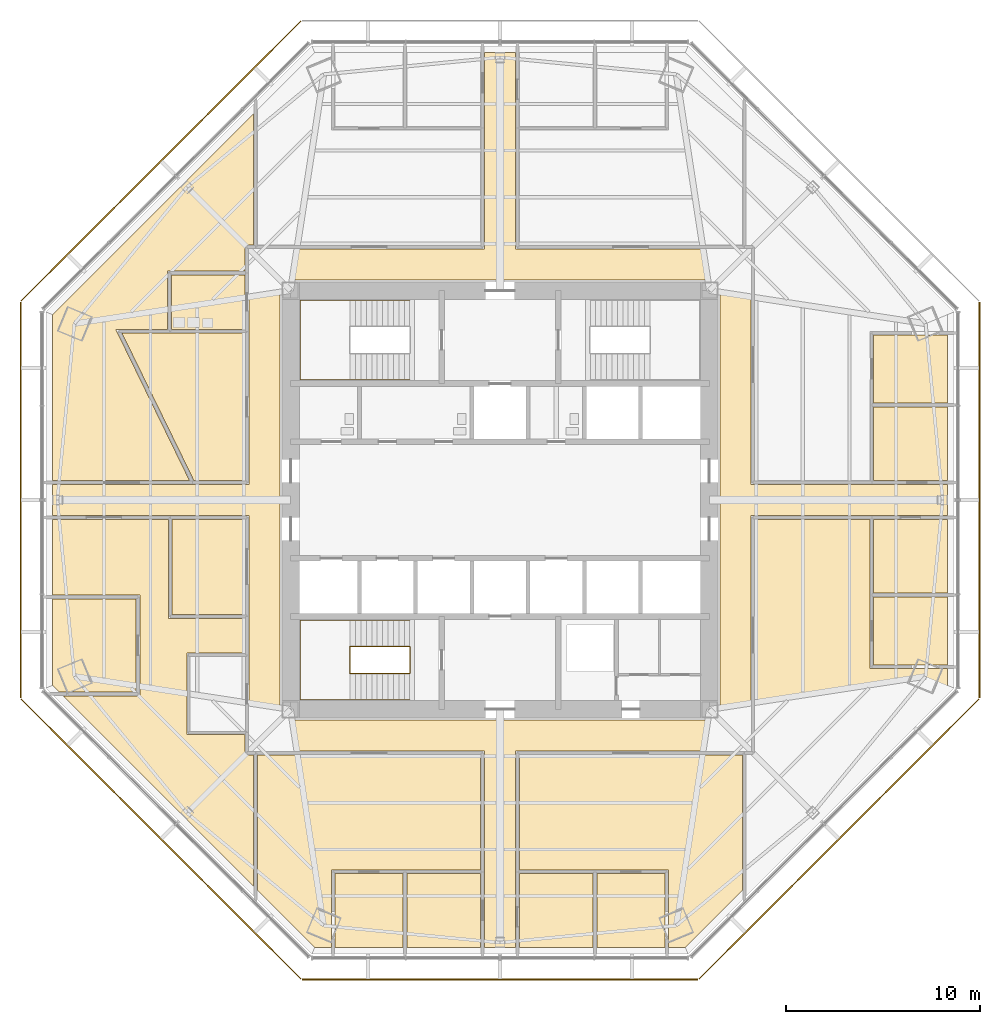
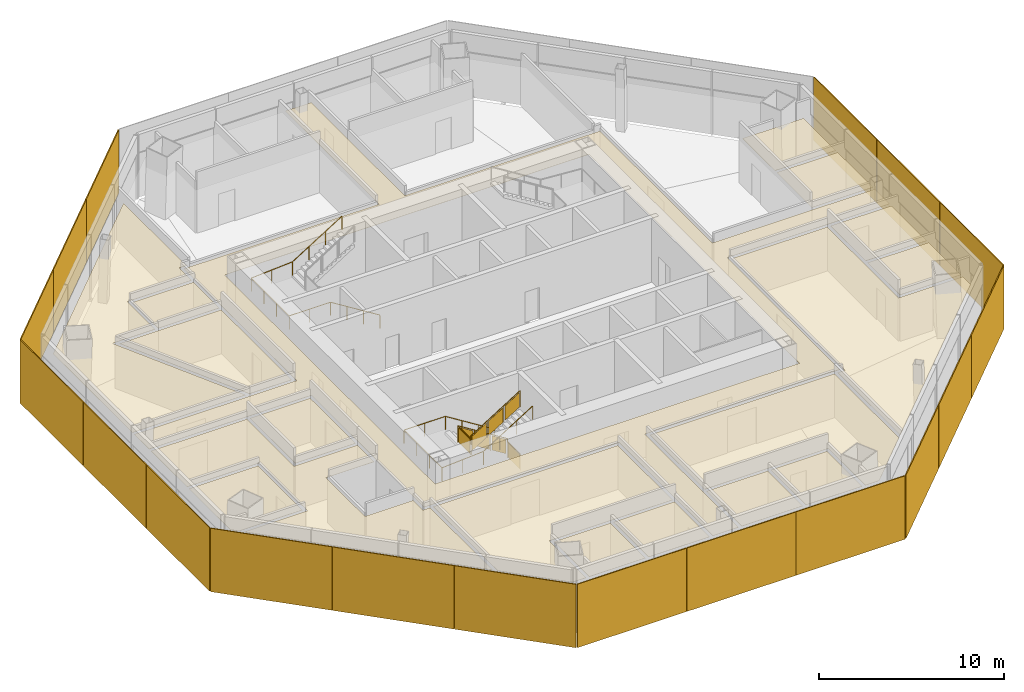
# One storey, part 13 of 15: 18 coverings, 18 shading devices, 3 railings.
"""IFC4 building model written with IfcOpenShell, lengths in metres."""

from ifc_helpers import new_model, si_unit, direction, frame, origin, origin_2d, place, context, subcontext, project, spatial, polyline, rectangle, circle, outline, extrude, source, transform, mapped, material, layer, layer_set, type_object, type_shapes, element, save


model = new_model("IFC4")

# Units and contexts
model_context = context("Model", 3, precision=1e-05, world=origin(), true_north=direction((0.0, 1.0)))
body_context = subcontext(model_context, "Body", "Model", "MODEL_VIEW")
ifc_project = project(units=[si_unit("LENGTHUNIT", "METRE"), si_unit("AREAUNIT", "SQUARE_METRE"), si_unit("VOLUMEUNIT", "CUBIC_METRE"), si_unit("PLANEANGLEUNIT", "RADIAN"), si_unit("MASSUNIT", "GRAM", prefix="KILO")], contexts=[model_context])

# Site, building, storey
site_placement = place(None, origin())
site = spatial("IfcSite", under=ifc_project, at=site_placement, CompositionType="ELEMENT")
building_placement = place(site_placement, origin())
building = spatial("IfcBuilding", under=site, at=building_placement, Name="Mashrafa Tower", CompositionType="ELEMENT")
storey_placement = place(building_placement, frame((0.0, 0.0, 155.39990234375)))
storey = spatial("IfcBuildingStorey", under=building, at=storey_placement, Name="L35", CompositionType="ELEMENT", Elevation=155.39990234375)

# Railings
ifc_material_1 = material(Name="Steel guard with glass infill", Category="steel")
railing_type_1 = type_object("IfcRailingType", Name="Stair guard 1100", PredefinedType="GUARDRAIL", material=ifc_material_1)
railing_1_placement = place(storey_placement, frame((-4.64990234375, -8.949951171875, 0.0)))
element("IfcRailing", 1, at=railing_1_placement, inside=storey, type_object=railing_type_1, Name="Stair S3 guard L35", PredefinedType="GUARDRAIL", context=body_context, shape_type="SweptSolid", body=[
    extrude(circle(Radius=0.02392578125, at=origin_2d()), frame((0.0, 0.0, 1.076171875), z_axis=(0.0, 1.0, 0.0), x_axis=(-1.0, 0.0, 0.0)), (0.0, 0.0, 1.0), 1.39990234375),
    extrude(circle(Radius=0.02392578125, at=origin_2d()), frame((0.0, 1.39990234375, 1.076171875), z_axis=(0.0, 0.0, 1.0), x_axis=(1.0, 0.0, 0.0)), (0.0, 0.0, 1.0), 0.175048828125),
    extrude(circle(Radius=0.02392578125, at=origin_2d()), frame((0.0, 1.39990234375, 1.2509765625), z_axis=(-0.847998304005, 0.0, 0.529998940003), x_axis=(0.0, -1.0, 0.0)), (0.0, 0.0, 1.0), 3.632080078125),
    extrude(circle(Radius=0.02392578125, at=origin_2d()), frame((-3.080078125, 1.39990234375, 3.17626953125), z_axis=(0.0, -1.0, 0.0), x_axis=(1.0, 0.0, 0.0)), (0.0, 0.0, 1.0), 1.39990234375),
    extrude(circle(Radius=0.02392578125, at=origin_2d()), frame((-3.080078125, 0.0, 3.17626953125), z_axis=(0.0, 0.0, 1.0), x_axis=(1.0, 0.0, 0.0)), (0.0, 0.0, 1.0), 0.175048828125),
    extrude(circle(Radius=0.02392578125, at=origin_2d()), frame((-3.080078125, 0.0, 3.35107421875), z_axis=(0.847998304005, 0.0, 0.529998940003), x_axis=(0.0, 1.0, 0.0)), (0.0, 0.0, 1.0), 3.632080078125),
    extrude(circle(Radius=0.02099609375, at=origin_2d()), origin(), (0.0, 0.0, 1.0), 1.052001953125),
    extrude(circle(Radius=0.02099609375, at=origin_2d()), frame((0.0, 1.39990234375, 0.0)), (0.0, 0.0, 1.0), 1.052001953125),
    extrude(circle(Radius=0.02099609375, at=origin_2d()), frame((0.0, 1.39990234375, 0.175048828125)), (0.0, 0.0, 1.0), 1.052001953125),
    extrude(circle(Radius=0.02099609375, at=origin_2d()), frame((-1.026611328125, 1.39990234375, 0.816650390625)), (0.0, 0.0, 1.0), 1.052001953125),
    extrude(circle(Radius=0.02099609375, at=origin_2d()), frame((-2.053466796875, 1.39990234375, 1.45849609375)), (0.0, 0.0, 1.0), 1.052001953125),
    extrude(circle(Radius=0.02099609375, at=origin_2d()), frame((-3.080078125, 1.39990234375, 2.10009765625)), (0.0, 0.0, 1.0), 1.052001953125),
    extrude(circle(Radius=0.02099609375, at=origin_2d()), frame((-3.080078125, 0.0, 2.10009765625)), (0.0, 0.0, 1.0), 1.052001953125),
    extrude(circle(Radius=0.02099609375, at=origin_2d()), frame((-3.080078125, 0.0, 2.275146484375)), (0.0, 0.0, 1.0), 1.052001953125),
    extrude(circle(Radius=0.02099609375, at=origin_2d()), frame((-2.053466796875, 0.0, 2.916748046875)), (0.0, 0.0, 1.0), 1.052001953125),
    extrude(circle(Radius=0.02099609375, at=origin_2d()), frame((-1.026611328125, 0.0, 3.55859375)), (0.0, 0.0, 1.0), 1.052001953125),
    extrude(circle(Radius=0.02099609375, at=origin_2d()), frame((0.0, 0.0, 4.2001953125)), (0.0, 0.0, 1.0), 1.052001953125),
    extrude(outline(polyline([(0.071044921875, 0.050048828125), (1.328857421875, 0.050048828125), (1.328857421875, 1.001953125), (0.071044921875, 1.001953125), (0.071044921875, 0.050048828125)])), frame((0.006103515625, 0.0, 0.0), z_axis=(1.0, 0.0, 0.0), x_axis=(0.0, 1.0, 0.0)), (0.0, 0.0, 1.0), 0.011962890625),
    extrude(outline(polyline([(0.071044921875, 0.094482421875), (0.955810546875, 0.647216796875), (0.955810546875, 1.599365234375), (0.071044921875, 1.04638671875), (0.071044921875, 0.094482421875)])), frame((0.0, 1.406005859375, 0.175048828125), z_axis=(0.0, 1.0, 0.0), x_axis=(-1.0, 0.0, 0.0)), (0.0, 0.0, 1.0), 0.011962890625),
    extrude(outline(polyline([(1.09765625, 0.736083984375), (1.982421875, 1.2890625), (1.982421875, 2.240966796875), (1.09765625, 1.68798828125), (1.09765625, 0.736083984375)])), frame((0.0, 1.406005859375, 0.175048828125), z_axis=(0.0, 1.0, 0.0), x_axis=(-1.0, 0.0, 0.0)), (0.0, 0.0, 1.0), 0.011962890625),
    extrude(outline(polyline([(2.124267578125, 1.377685546875), (3.009033203125, 1.9306640625), (3.009033203125, 2.882568359375), (2.124267578125, 2.329833984375), (2.124267578125, 1.377685546875)])), frame((0.0, 1.406005859375, 0.175048828125), z_axis=(0.0, 1.0, 0.0), x_axis=(-1.0, 0.0, 0.0)), (0.0, 0.0, 1.0), 0.011962890625),
    extrude(outline(polyline([(0.071044921875, 0.050048828125), (1.328857421875, 0.050048828125), (1.328857421875, 1.001953125), (0.071044921875, 1.001953125), (0.071044921875, 0.050048828125)])), frame((-3.086181640625, 1.39990234375, 2.10009765625), z_axis=(-1.0, 0.0, 0.0), x_axis=(0.0, -1.0, 0.0)), (0.0, 0.0, 1.0), 0.011962890625),
    extrude(outline(polyline([(0.071044921875, 0.094482421875), (0.955810546875, 0.647216796875), (0.955810546875, 1.599365234375), (0.071044921875, 1.04638671875), (0.071044921875, 0.094482421875)])), frame((-3.080078125, -0.006103515625, 2.275146484375), z_axis=(0.0, -1.0, 0.0), x_axis=(1.0, 0.0, 0.0)), (0.0, 0.0, 1.0), 0.011962890625),
    extrude(outline(polyline([(1.09765625, 0.736083984375), (1.982421875, 1.2890625), (1.982421875, 2.240966796875), (1.09765625, 1.68798828125), (1.09765625, 0.736083984375)])), frame((-3.080078125, -0.006103515625, 2.275146484375), z_axis=(0.0, -1.0, 0.0), x_axis=(1.0, 0.0, 0.0)), (0.0, 0.0, 1.0), 0.011962890625),
    extrude(outline(polyline([(2.124267578125, 1.377685546875), (3.009033203125, 1.9306640625), (3.009033203125, 2.882568359375), (2.124267578125, 2.329833984375), (2.124267578125, 1.377685546875)])), frame((-3.080078125, -0.006103515625, 2.275146484375), z_axis=(0.0, -1.0, 0.0), x_axis=(1.0, 0.0, 0.0)), (0.0, 0.0, 1.0), 0.011962890625),
])
ifc_material_2 = material(Name="Steel", Category="steel")
railing_type_2 = type_object("IfcRailingType", Name="Stair handrail 900", PredefinedType="HANDRAIL", material=ifc_material_2)
railing_2_placement = place(storey_placement, frame((-4.64990234375, 6.199951171875, 0.175048828125)))
element("IfcRailing", 2, at=railing_2_placement, inside=storey, type_object=railing_type_2, Name="Stair S1 handrail L35", PredefinedType="HANDRAIL", context=body_context, shape_type="SweptSolid", body=[
    extrude(circle(Radius=0.02392578125, at=origin_2d()), frame((0.0, 0.0, 0.8759765625), z_axis=(-0.847998304005, 0.0, 0.529998940003), x_axis=(0.0, -1.0, 0.0)), (0.0, 0.0, 1.0), 3.632080078125),
    extrude(circle(Radius=0.02392578125, at=origin_2d()), frame((-3.080078125, 0.0, 2.80078125), z_axis=(-1.0, 0.0, 0.0), x_axis=(0.0, -1.0, 0.0)), (0.0, 0.0, 1.0), 2.570068359375),
    extrude(circle(Radius=0.02392578125, at=origin_2d()), frame((-5.650146484375, 0.0, 2.80078125), z_axis=(0.0, 1.0, 0.0), x_axis=(-1.0, 0.0, 0.0)), (0.0, 0.0, 1.0), 4.10009765625),
    extrude(circle(Radius=0.02392578125, at=origin_2d()), frame((-5.650146484375, 4.10009765625, 2.80078125), z_axis=(0.997688514158, 0.0, 0.067953136188), x_axis=(0.0, 1.0, 0.0)), (0.0, 0.0, 1.0), 2.575927734375),
    extrude(circle(Radius=0.02392578125, at=origin_2d()), frame((-3.080078125, 4.10009765625, 2.97607421875), z_axis=(0.847998304005, 0.0, 0.529998940003), x_axis=(0.0, 1.0, 0.0)), (0.0, 0.0, 1.0), 3.632080078125),
    extrude(circle(Radius=0.02099609375, at=origin_2d()), origin(), (0.0, 0.0, 1.0), 0.851806640625),
    extrude(circle(Radius=0.02099609375, at=origin_2d()), frame((-1.026611328125, 0.0, 0.6416015625)), (0.0, 0.0, 1.0), 0.851806640625),
    extrude(circle(Radius=0.02099609375, at=origin_2d()), frame((-2.053466796875, 0.0, 1.283447265625)), (0.0, 0.0, 1.0), 0.851806640625),
    extrude(circle(Radius=0.02099609375, at=origin_2d()), frame((-3.080078125, 0.0, 1.925048828125)), (0.0, 0.0, 1.0), 0.851806640625),
    extrude(circle(Radius=0.02099609375, at=origin_2d()), frame((-4.365234375, 0.0, 1.925048828125)), (0.0, 0.0, 1.0), 0.851806640625),
    extrude(circle(Radius=0.02099609375, at=origin_2d()), frame((-5.650146484375, 0.0, 1.925048828125)), (0.0, 0.0, 1.0), 0.851806640625),
    extrude(circle(Radius=0.02099609375, at=origin_2d()), frame((-5.650146484375, 1.36669921875, 1.925048828125)), (0.0, 0.0, 1.0), 0.851806640625),
    extrude(circle(Radius=0.02099609375, at=origin_2d()), frame((-5.650146484375, 2.7333984375, 1.925048828125)), (0.0, 0.0, 1.0), 0.851806640625),
    extrude(circle(Radius=0.02099609375, at=origin_2d()), frame((-5.650146484375, 4.10009765625, 1.925048828125)), (0.0, 0.0, 1.0), 0.851806640625),
    extrude(circle(Radius=0.02099609375, at=origin_2d()), frame((-4.365234375, 4.10009765625, 2.0126953125)), (0.0, 0.0, 1.0), 0.851806640625),
    extrude(circle(Radius=0.02099609375, at=origin_2d()), frame((-3.080078125, 4.10009765625, 2.10009765625)), (0.0, 0.0, 1.0), 0.851806640625),
    extrude(circle(Radius=0.02099609375, at=origin_2d()), frame((-2.053466796875, 4.10009765625, 2.74169921875)), (0.0, 0.0, 1.0), 0.851806640625),
    extrude(circle(Radius=0.02099609375, at=origin_2d()), frame((-1.026611328125, 4.10009765625, 3.383544921875)), (0.0, 0.0, 1.0), 0.851806640625),
    extrude(circle(Radius=0.02099609375, at=origin_2d()), frame((0.0, 4.10009765625, 4.025146484375)), (0.0, 0.0, 1.0), 0.851806640625),
])
railing_3_placement = place(storey_placement, frame((-4.64990234375, -6.199951171875, 0.175048828125)))
element("IfcRailing", 3, at=railing_3_placement, inside=storey, type_object=railing_type_2, Name="Stair S3 handrail L35", PredefinedType="HANDRAIL", context=body_context, shape_type="SweptSolid", body=[
    extrude(circle(Radius=0.02392578125, at=origin_2d()), frame((0.0, 0.0, 0.8759765625), z_axis=(-0.847998304005, 0.0, 0.529998940003), x_axis=(0.0, -1.0, 0.0)), (0.0, 0.0, 1.0), 3.632080078125),
    extrude(circle(Radius=0.02392578125, at=origin_2d()), frame((-3.080078125, 0.0, 2.80078125), z_axis=(-1.0, 0.0, 0.0), x_axis=(0.0, -1.0, 0.0)), (0.0, 0.0, 1.0), 2.570068359375),
    extrude(circle(Radius=0.02392578125, at=origin_2d()), frame((-5.650146484375, 0.0, 2.80078125), z_axis=(0.0, -1.0, 0.0), x_axis=(1.0, 0.0, 0.0)), (0.0, 0.0, 1.0), 4.10009765625),
    extrude(circle(Radius=0.02392578125, at=origin_2d()), frame((-5.650146484375, -4.10009765625, 2.80078125), z_axis=(0.997688514158, 0.0, 0.067953136188), x_axis=(0.0, 1.0, 0.0)), (0.0, 0.0, 1.0), 2.575927734375),
    extrude(circle(Radius=0.02392578125, at=origin_2d()), frame((-3.080078125, -4.10009765625, 2.97607421875), z_axis=(0.847998304005, 0.0, 0.529998940003), x_axis=(0.0, 1.0, 0.0)), (0.0, 0.0, 1.0), 3.632080078125),
    extrude(circle(Radius=0.02099609375, at=origin_2d()), origin(), (0.0, 0.0, 1.0), 0.851806640625),
    extrude(circle(Radius=0.02099609375, at=origin_2d()), frame((-1.026611328125, 0.0, 0.6416015625)), (0.0, 0.0, 1.0), 0.851806640625),
    extrude(circle(Radius=0.02099609375, at=origin_2d()), frame((-2.053466796875, 0.0, 1.283447265625)), (0.0, 0.0, 1.0), 0.851806640625),
    extrude(circle(Radius=0.02099609375, at=origin_2d()), frame((-3.080078125, 0.0, 1.925048828125)), (0.0, 0.0, 1.0), 0.851806640625),
    extrude(circle(Radius=0.02099609375, at=origin_2d()), frame((-4.365234375, 0.0, 1.925048828125)), (0.0, 0.0, 1.0), 0.851806640625),
    extrude(circle(Radius=0.02099609375, at=origin_2d()), frame((-5.650146484375, 0.0, 1.925048828125)), (0.0, 0.0, 1.0), 0.851806640625),
    extrude(circle(Radius=0.02099609375, at=origin_2d()), frame((-5.650146484375, -1.36669921875, 1.925048828125)), (0.0, 0.0, 1.0), 0.851806640625),
    extrude(circle(Radius=0.02099609375, at=origin_2d()), frame((-5.650146484375, -2.7333984375, 1.925048828125)), (0.0, 0.0, 1.0), 0.851806640625),
    extrude(circle(Radius=0.02099609375, at=origin_2d()), frame((-5.650146484375, -4.10009765625, 1.925048828125)), (0.0, 0.0, 1.0), 0.851806640625),
    extrude(circle(Radius=0.02099609375, at=origin_2d()), frame((-4.365234375, -4.10009765625, 2.0126953125)), (0.0, 0.0, 1.0), 0.851806640625),
    extrude(circle(Radius=0.02099609375, at=origin_2d()), frame((-3.080078125, -4.10009765625, 2.10009765625)), (0.0, 0.0, 1.0), 0.851806640625),
    extrude(circle(Radius=0.02099609375, at=origin_2d()), frame((-2.053466796875, -4.10009765625, 2.74169921875)), (0.0, 0.0, 1.0), 0.851806640625),
    extrude(circle(Radius=0.02099609375, at=origin_2d()), frame((-1.026611328125, -4.10009765625, 3.383544921875)), (0.0, 0.0, 1.0), 0.851806640625),
    extrude(circle(Radius=0.02099609375, at=origin_2d()), frame((0.0, -4.10009765625, 4.025146484375)), (0.0, 0.0, 1.0), 0.851806640625),
])

# Coverings
ifc_material_3 = material(Name="Mineral fibre tile on suspension grid")
ifc_layer_1 = layer(ifc_material_3, 0.014892578125)
ifc_layer_set_1 = layer_set([ifc_layer_1], Name="Suspended ceiling mineral tile 15")
covering_type = type_object("IfcCoveringType", Name="Suspended ceiling mineral tile 15", PredefinedType="CEILING", material=ifc_layer_set_1)
covering_1_placement = place(storey_placement, frame((0.0, 0.0, 2.900146484375)))
element("IfcCovering", 4, at=covering_1_placement, inside=storey, type_object=covering_type, Name="Ceiling Office Corridor L35", PredefinedType="CEILING", context=body_context, shape_type="SweptSolid", body=[
    extrude(outline(polyline([(-12.949951171875, -12.949951171875), (-12.949951171875, -0.800048828125), (-23.068603515625, -0.800048828125), (-23.068603515625, 0.800048828125), (-12.949951171875, 0.800048828125), (-12.949951171875, 12.949951171875), (-0.800048828125, 12.949951171875), (-0.800048828125, 23.068603515625), (0.800048828125, 23.068603515625), (0.800048828125, 12.949951171875), (12.949951171875, 12.949951171875), (12.949951171875, 0.800048828125), (23.068603515625, 0.800048828125), (23.068603515625, -0.800048828125), (12.949951171875, -0.800048828125), (12.949951171875, -12.949951171875), (0.800048828125, -12.949951171875), (0.800048828125, -23.068603515625), (-0.800048828125, -23.068603515625), (-0.800048828125, -12.949951171875), (-12.949951171875, -12.949951171875)]), holes=[polyline([(11.35009765625, 11.35009765625), (-11.35009765625, 11.35009765625), (-11.35009765625, -11.35009765625), (11.35009765625, -11.35009765625), (11.35009765625, 11.35009765625)])]), origin(), (0.0, 0.0, 1.0), 0.014892578125),
])
covering_2_placement = place(storey_placement, frame((0.0, 0.0, 2.900146484375)))
element("IfcCovering", 5, at=covering_2_placement, inside=storey, type_object=covering_type, Name="Ceiling Musallah Prayer Room 35", PredefinedType="CEILING", context=body_context, shape_type="SweptSolid", body=[
    extrude(outline(polyline([(-15.783203125, 1.0), (-19.489990234375, 8.60009765625), (-13.14990234375, 8.60009765625), (-13.14990234375, 1.0), (-15.783203125, 1.0)])), origin(), (0.0, 0.0, 1.0), 0.014892578125),
])
covering_3_placement = place(storey_placement, frame((0.0, 0.0, 2.900146484375)))
element("IfcCovering", 6, at=covering_3_placement, inside=storey, type_object=covering_type, Name="Ceiling Ablution Room L35", PredefinedType="CEILING", context=body_context, shape_type="SweptSolid", body=[
    extrude(outline(polyline([(-16.949951171875, 8.800048828125), (-16.949951171875, 11.60009765625), (-13.14990234375, 11.60009765625), (-13.14990234375, 8.800048828125), (-16.949951171875, 8.800048828125)])), origin(), (0.0, 0.0, 1.0), 0.014892578125),
])
covering_4_placement = place(storey_placement, frame((0.0, 0.0, 2.900146484375)))
element("IfcCovering", 7, at=covering_4_placement, inside=storey, type_object=covering_type, Name="Ceiling Serviced Office 35-EA-1", PredefinedType="CEILING", context=body_context, shape_type="SweptSolid", body=[
    extrude(outline(polyline([(19.268798828125, 4.800048828125), (23.068603515625, 4.800048828125), (23.068603515625, 1.0), (19.268798828125, 1.0), (19.268798828125, 4.800048828125)])), origin(), (0.0, 0.0, 1.0), 0.014892578125),
])
covering_5_placement = place(storey_placement, frame((0.0, 0.0, 2.900146484375)))
element("IfcCovering", 8, at=covering_5_placement, inside=storey, type_object=covering_type, Name="Ceiling Serviced Office 35-NE1", PredefinedType="CEILING", context=body_context, shape_type="SweptSolid", body=[
    extrude(outline(polyline([(19.268798828125, 8.5), (23.068603515625, 8.5), (23.068603515625, 5.0), (19.268798828125, 5.0), (19.268798828125, 8.5)])), origin(), (0.0, 0.0, 1.0), 0.014892578125),
])
covering_6_placement = place(storey_placement, frame((0.0, 0.0, 2.900146484375)))
element("IfcCovering", 9, at=covering_6_placement, inside=storey, type_object=covering_type, Name="Ceiling Serviced Office 35-SE1", PredefinedType="CEILING", context=body_context, shape_type="SweptSolid", body=[
    extrude(outline(polyline([(19.268798828125, -5.0), (23.068603515625, -5.0), (23.068603515625, -8.5), (19.268798828125, -8.5), (19.268798828125, -5.0)])), origin(), (0.0, 0.0, 1.0), 0.014892578125),
])
covering_7_placement = place(storey_placement, frame((0.0, 0.0, 2.900146484375)))
element("IfcCovering", 10, at=covering_7_placement, inside=storey, type_object=covering_type, Name="Ceiling Serviced Office 35-EB-2", PredefinedType="CEILING", context=body_context, shape_type="SweptSolid", body=[
    extrude(outline(polyline([(19.268798828125, -1.0), (23.068603515625, -1.0), (23.068603515625, -4.800048828125), (19.268798828125, -4.800048828125), (19.268798828125, -1.0)])), origin(), (0.0, 0.0, 1.0), 0.014892578125),
])
covering_8_placement = place(storey_placement, frame((0.0, 0.0, 2.900146484375)))
element("IfcCovering", 11, at=covering_8_placement, inside=storey, type_object=covering_type, Name="Ceiling Serviced Office 35-SA-1", PredefinedType="CEILING", context=body_context, shape_type="SweptSolid", body=[
    extrude(outline(polyline([(1.0, -19.268798828125), (4.800048828125, -19.268798828125), (4.800048828125, -23.068603515625), (1.0, -23.068603515625), (1.0, -19.268798828125)])), origin(), (0.0, 0.0, 1.0), 0.014892578125),
])
covering_9_placement = place(storey_placement, frame((0.0, 0.0, 2.900146484375)))
element("IfcCovering", 12, at=covering_9_placement, inside=storey, type_object=covering_type, Name="Ceiling Serviced Office 35-SE2", PredefinedType="CEILING", context=body_context, shape_type="SweptSolid", body=[
    extrude(outline(polyline([(5.0, -19.268798828125), (8.5, -19.268798828125), (8.5, -23.068603515625), (5.0, -23.068603515625), (5.0, -19.268798828125)])), origin(), (0.0, 0.0, 1.0), 0.014892578125),
])
covering_10_placement = place(storey_placement, frame((0.0, 0.0, 2.900146484375)))
element("IfcCovering", 13, at=covering_10_placement, inside=storey, type_object=covering_type, Name="Ceiling Serviced Office 35-SW2", PredefinedType="CEILING", context=body_context, shape_type="SweptSolid", body=[
    extrude(outline(polyline([(-8.5, -19.268798828125), (-5.0, -19.268798828125), (-5.0, -23.068603515625), (-8.5, -23.068603515625), (-8.5, -19.268798828125)])), origin(), (0.0, 0.0, 1.0), 0.014892578125),
])
covering_11_placement = place(storey_placement, frame((0.0, 0.0, 2.900146484375)))
element("IfcCovering", 14, at=covering_11_placement, inside=storey, type_object=covering_type, Name="Ceiling Serviced Office 35-SB-2", PredefinedType="CEILING", context=body_context, shape_type="SweptSolid", body=[
    extrude(outline(polyline([(-4.800048828125, -19.268798828125), (-1.0, -19.268798828125), (-1.0, -23.068603515625), (-4.800048828125, -23.068603515625), (-4.800048828125, -19.268798828125)])), origin(), (0.0, 0.0, 1.0), 0.014892578125),
])
covering_12_placement = place(storey_placement, frame((0.0, 0.0, 2.900146484375)))
element("IfcCovering", 15, at=covering_12_placement, inside=storey, type_object=covering_type, Name="Ceiling Meeting Room 35-SW1", PredefinedType="CEILING", context=body_context, shape_type="SweptSolid", body=[
    extrude(outline(polyline([(-18.768798828125, -5.10009765625), (-18.768798828125, -9.89990234375), (-22.72412109375, -9.89990234375), (-23.068603515625, -9.555419921875), (-23.068603515625, -5.10009765625), (-18.768798828125, -5.10009765625)])), origin(), (0.0, 0.0, 1.0), 0.014892578125),
])
covering_13_placement = place(storey_placement, frame((0.0, 0.0, 2.900146484375)))
element("IfcCovering", 16, at=covering_13_placement, inside=storey, type_object=covering_type, Name="Ceiling Business Centre Reception 35", PredefinedType="CEILING", context=body_context, shape_type="SweptSolid", body=[
    extrude(outline(polyline([(-16.89990234375, -1.0), (-13.14990234375, -1.0), (-13.14990234375, -5.89990234375), (-16.89990234375, -5.89990234375), (-16.89990234375, -1.0)])), origin(), (0.0, 0.0, 1.0), 0.014892578125),
])
covering_14_placement = place(storey_placement, frame((0.0, 0.0, 2.900146484375)))
element("IfcCovering", 17, at=covering_14_placement, inside=storey, type_object=covering_type, Name="Ceiling Business Centre Suite 35-NW1", PredefinedType="CEILING", context=body_context, shape_type="SweptSolid", body=[
    extrude(outline(polyline([(-23.068603515625, 1.0), (-23.068603515625, 9.555419921875), (-12.699951171875, 19.924072265625), (-12.699951171875, 13.14990234375), (-13.14990234375, 13.14990234375), (-13.14990234375, 11.800048828125), (-17.14990234375, 11.800048828125), (-17.14990234375, 8.800048828125), (-19.81005859375, 8.800048828125), (-16.005615234375, 1.0), (-23.068603515625, 1.0)])), origin(), (0.0, 0.0, 1.0), 0.014892578125),
])
covering_15_placement = place(storey_placement, frame((0.0, 0.0, 2.900146484375)))
element("IfcCovering", 18, at=covering_15_placement, inside=storey, type_object=covering_type, Name="Ceiling Business Centre Suite 35-SW1", PredefinedType="CEILING", context=body_context, shape_type="SweptSolid", body=[
    extrude(outline(polyline([(-12.699951171875, -19.924072265625), (-22.52392578125, -10.10009765625), (-18.568603515625, -10.10009765625), (-18.568603515625, -4.89990234375), (-23.068603515625, -4.89990234375), (-23.068603515625, -1.0), (-17.10009765625, -1.0), (-17.10009765625, -6.10009765625), (-13.14990234375, -6.10009765625), (-13.14990234375, -7.89990234375), (-16.14990234375, -7.89990234375), (-16.14990234375, -12.10009765625), (-13.14990234375, -12.10009765625), (-13.14990234375, -13.14990234375), (-12.699951171875, -13.14990234375), (-12.699951171875, -19.924072265625)])), origin(), (0.0, 0.0, 1.0), 0.014892578125),
])
covering_16_placement = place(storey_placement, frame((0.0, 0.0, 2.900146484375)))
element("IfcCovering", 19, at=covering_16_placement, inside=storey, type_object=covering_type, Name="Ceiling Business Centre Lounge 35-SW2", PredefinedType="CEILING", context=body_context, shape_type="SweptSolid", body=[
    extrude(outline(polyline([(-8.699951171875, -23.068603515625), (-9.555419921875, -23.068603515625), (-12.5, -20.1240234375), (-12.5, -13.14990234375), (-1.0, -13.14990234375), (-1.0, -19.068603515625), (-8.699951171875, -19.068603515625), (-8.699951171875, -23.068603515625)])), origin(), (0.0, 0.0, 1.0), 0.014892578125),
])
covering_17_placement = place(storey_placement, frame((0.0, 0.0, 2.900146484375)))
element("IfcCovering", 20, at=covering_17_placement, inside=storey, type_object=covering_type, Name="Ceiling Business Centre Suite 35-SE1", PredefinedType="CEILING", context=body_context, shape_type="SweptSolid", body=[
    extrude(outline(polyline([(23.068603515625, -8.699951171875), (23.068603515625, -9.555419921875), (12.699951171875, -19.924072265625), (12.699951171875, -13.14990234375), (13.14990234375, -13.14990234375), (13.14990234375, -1.0), (19.068603515625, -1.0), (19.068603515625, -8.699951171875), (23.068603515625, -8.699951171875)])), origin(), (0.0, 0.0, 1.0), 0.014892578125),
])
covering_18_placement = place(storey_placement, frame((0.0, 0.0, 2.900146484375)))
element("IfcCovering", 21, at=covering_18_placement, inside=storey, type_object=covering_type, Name="Ceiling Business Centre Lounge 35-SE2", PredefinedType="CEILING", context=body_context, shape_type="SweptSolid", body=[
    extrude(outline(polyline([(12.5, -13.14990234375), (12.5, -20.1240234375), (9.555419921875, -23.068603515625), (8.699951171875, -23.068603515625), (8.699951171875, -19.068603515625), (1.0, -19.068603515625), (1.0, -13.14990234375), (12.5, -13.14990234375)])), origin(), (0.0, 0.0, 1.0), 0.014892578125),
])

# Shading devices
ifc_material_4 = material(Name="Perforated aluminium plate, eight-point star pattern", Category="aluminium")
ifc_layer_2 = layer(ifc_material_4, 0.06005859375)
ifc_layer_set_2 = layer_set([ifc_layer_2], Name="Mashrabiya screen panel office zone 2, 40 percent open")
shading_device_type = type_object("IfcShadingDeviceType", Name="Mashrabiya screen panel office zone 2, 40 percent open", PredefinedType="SHUTTER", material=ifc_layer_set_2)
shared_shape = source(origin(), body_context, "Body", "SweptSolid", [
    extrude(rectangle(XDim=6.791015625, YDim=0.06005859375, at=origin_2d()), origin(), (0.0, 0.0, 1.0), 4.179931640625),
])
type_shapes(shading_device_type, [shared_shape])
for number, where, z_axis, x_axis, name in (
    (22, (24.71875, -6.81103515625, -0.14990234375), (0.0, 0.0, 1.0), (0.0, 1.0, 0.0), "Mashrabiya screen L35 east 1"),
    (23, (24.71875, 0.0, -0.14990234375), (0.0, 0.0, 1.0), (0.0, 1.0, 0.0), "Mashrabiya screen L35 east 2"),
    (24, (24.71875, 6.81103515625, -0.14990234375), (0.0, 0.0, 1.0), (0.0, 1.0, 0.0), "Mashrabiya screen L35 east 3"),
    (25, (-12.66259765625, 22.294677734375, -0.14990234375), (0.0, 0.0, 1.0), (-0.707106781187, -0.707106781187, 0.0), "Mashrabiya screen L35 north-west 1"),
    (26, (-17.478759765625, 17.478759765625, -0.14990234375), (0.0, 0.0, 1.0), (-0.707106781187, -0.707106781187, 0.0), "Mashrabiya screen L35 north-west 2"),
    (27, (-22.294677734375, 12.66259765625, -0.14990234375), (0.0, 0.0, 1.0), (-0.707106781187, -0.707106781187, 0.0), "Mashrabiya screen L35 north-west 3"),
    (28, (-24.71875, 6.81103515625, -0.14990234375), (0.0, 0.0, 1.0), (0.0, -1.0, 0.0), "Mashrabiya screen L35 west 1"),
    (29, (-24.71875, 0.0, -0.14990234375), (0.0, 0.0, 1.0), (0.0, -1.0, 0.0), "Mashrabiya screen L35 west 2"),
    (30, (-24.71875, -6.81103515625, -0.14990234375), (0.0, 0.0, 1.0), (0.0, -1.0, 0.0), "Mashrabiya screen L35 west 3"),
    (31, (-22.294677734375, -12.66259765625, -0.14990234375), (0.0, 0.0, 1.0), (0.707106781187, -0.707106781187, 0.0), "Mashrabiya screen L35 south-west 1"),
    (32, (-17.478759765625, -17.478759765625, -0.14990234375), (0.0, 0.0, 1.0), (0.707106781187, -0.707106781187, 0.0), "Mashrabiya screen L35 south-west 2"),
    (33, (-12.66259765625, -22.294677734375, -0.14990234375), (0.0, 0.0, 1.0), (0.707106781187, -0.707106781187, 0.0), "Mashrabiya screen L35 south-west 3"),
    (34, (-6.81103515625, -24.71875, -0.14990234375), (0.0, 0.0, 1.0), (1.0, 0.0, 0.0), "Mashrabiya screen L35 south 1"),
    (35, (0.0, -24.71875, -0.14990234375), (0.0, 0.0, 1.0), (1.0, 0.0, 0.0), "Mashrabiya screen L35 south 2"),
    (36, (6.81103515625, -24.71875, -0.14990234375), (0.0, 0.0, 1.0), (1.0, 0.0, 0.0), "Mashrabiya screen L35 south 3"),
    (37, (12.66259765625, -22.294677734375, -0.14990234375), (0.0, 0.0, 1.0), (0.707106781187, 0.707106781187, 0.0), "Mashrabiya screen L35 south-east 1"),
    (38, (17.478759765625, -17.478759765625, -0.14990234375), (0.0, 0.0, 1.0), (0.707106781187, 0.707106781187, 0.0), "Mashrabiya screen L35 south-east 2"),
    (39, (22.294677734375, -12.66259765625, -0.14990234375), (0.0, 0.0, 1.0), (0.707106781187, 0.707106781187, 0.0), "Mashrabiya screen L35 south-east 3"),
):
    element("IfcShadingDevice", number, at=place(storey_placement, frame(where, z_axis=z_axis, x_axis=x_axis)), inside=storey, type_object=shading_device_type, Name=name, PredefinedType="SHUTTER", context=body_context, shape_type="MappedRepresentation", body=[
        mapped(shared_shape, transform((0.0, 0.0, 0.0))),
    ])

save(model, "model.ifc")
